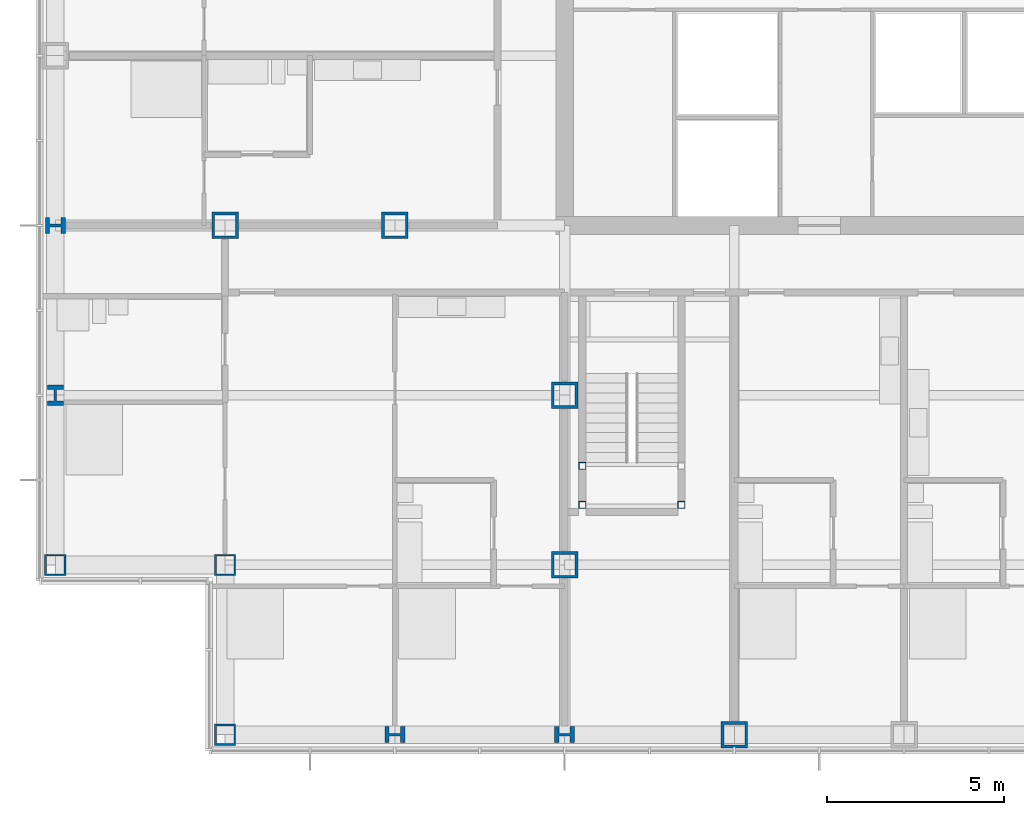
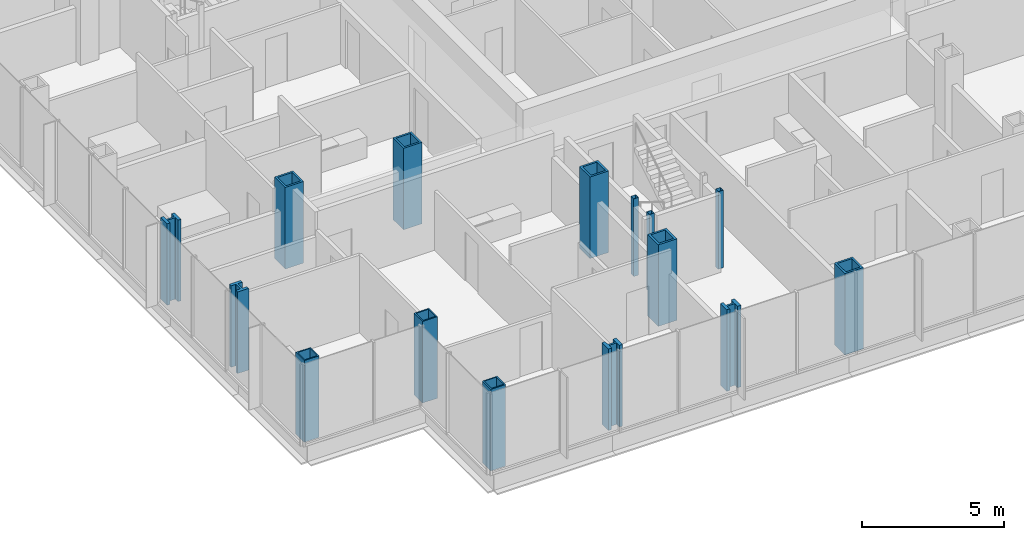
# One storey, part 1 of 21: 15 columns.
"""IFC4 building model written with IfcOpenShell, lengths in metres."""

from ifc_helpers import new_model, si_unit, direction, frame, origin, origin_2d, place, context, subcontext, project, spatial, hollow_rectangle, i_section, extrude, material, material_profile, profile_set, type_object, element, save


model = new_model("IFC4")

# Units and contexts
model_context = context("Model", 3, precision=1e-05, world=origin(), true_north=direction((0.0, 1.0)))
body_context = subcontext(model_context, "Body", "Model", "MODEL_VIEW")
ifc_project = project(units=[si_unit("LENGTHUNIT", "METRE"), si_unit("AREAUNIT", "SQUARE_METRE"), si_unit("VOLUMEUNIT", "CUBIC_METRE"), si_unit("PLANEANGLEUNIT", "RADIAN"), si_unit("MASSUNIT", "GRAM", prefix="KILO")], contexts=[model_context])

# Site, building, storey
site_placement = place(None, origin())
site = spatial("IfcSite", under=ifc_project, at=site_placement, CompositionType="ELEMENT")
building_placement = place(site_placement, origin())
building = spatial("IfcBuilding", under=site, at=building_placement, Name="Kvirike Care Tower", CompositionType="ELEMENT")
storey_placement = place(building_placement, frame((0.0, 0.0, 48.0)))
storey = spatial("IfcBuildingStorey", under=building, at=storey_placement, Name="L12", CompositionType="ELEMENT", Elevation=48.0)

# Columns
ifc_material_1 = material(Name="Steel S460", Category="steel")
ifc_material_profile_1 = material_profile(ifc_material_1, hollow_rectangle(XDim=0.60009765625, YDim=0.60009765625, WallThickness=0.050048828125, at=origin_2d()), Name="BX 600x600x50")
ifc_profile_set_1 = profile_set([ifc_material_profile_1], Name="Steel S460")
column_type_1 = type_object("IfcColumnType", Name="COLUMN BX 600x600x50", PredefinedType="COLUMN", material=ifc_profile_set_1)
for number, where, z_axis, x_axis, name in (
    (1, (0.0, 19.199951171875, 0.0), (0.0, 0.0, 1.0), (0.0, 1.0, 0.0), "Column E3 L12"),
    (2, (4.800048828125, 14.39990234375, 0.0), (0.0, 0.0, 1.0), (0.0, 1.0, 0.0), "Column D4 L12"),
    (3, (4.800048828125, 19.199951171875, 0.0), (0.0, 0.0, 1.0), (0.0, 1.0, 0.0), "Column E4 L12"),
):
    element("IfcColumn", number, at=place(storey_placement, frame(where, z_axis=z_axis, x_axis=x_axis)), inside=storey, type_object=column_type_1, Name=name, PredefinedType="COLUMN", context=body_context, shape_type="SweptSolid", body=[
        extrude(hollow_rectangle(XDim=0.60009765625, YDim=0.60009765625, WallThickness=0.050048828125, at=origin_2d()), origin(), (0.0, 0.0, 1.0), 3.5),
    ])
ifc_material_2 = material(Name="Steel S460", Category="steel")
ifc_material_profile_2 = material_profile(ifc_material_2, hollow_rectangle(XDim=0.75, YDim=0.75, WallThickness=0.080078125, at=origin_2d()), Name="BX 750x750x80")
ifc_profile_set_2 = profile_set([ifc_material_profile_2], Name="Steel S460")
column_type_2 = type_object("IfcColumnType", Name="COLUMN BX 750x750x80", PredefinedType="COLUMN", material=ifc_profile_set_2)
for number, where, z_axis, x_axis, name in (
    (4, (4.800048828125, 28.800048828125, 0.0), (0.0, 0.0, 1.0), (0.0, 1.0, 0.0), "Column G4 L12"),
    (5, (9.60009765625, 28.800048828125, 0.0), (0.0, 0.0, 1.0), (0.0, 1.0, 0.0), "Column G5 L12"),
    (6, (14.39990234375, 19.199951171875, 0.0), (0.0, 0.0, 1.0), (1.0, 0.0, 0.0), "Column E6 L12"),
    (7, (14.39990234375, 24.0, 0.0), (0.0, 0.0, 1.0), (1.0, 0.0, 0.0), "Column F6 L12"),
    (8, (19.199951171875, 14.39990234375, 0.0), (0.0, 0.0, 1.0), (0.0, 1.0, 0.0), "Column D7 L12"),
):
    element("IfcColumn", number, at=place(storey_placement, frame(where, z_axis=z_axis, x_axis=x_axis)), inside=storey, type_object=column_type_2, Name=name, PredefinedType="COLUMN", context=body_context, shape_type="SweptSolid", body=[
        extrude(hollow_rectangle(XDim=0.75, YDim=0.75, WallThickness=0.080078125, at=origin_2d()), origin(), (0.0, 0.0, 1.0), 3.5),
    ])
ifc_material_3 = material(Name="Steel S460", Category="steel")
ifc_material_profile_3 = material_profile(ifc_material_3, i_section(OverallWidth=0.4541015625, OverallDepth=0.569091796875, WebThickness=0.077880859375, FlangeThickness=0.125, FilletRadius=0.014892578125, at=origin_2d()), Name="HD 400x1086")
ifc_profile_set_3 = profile_set([ifc_material_profile_3], Name="Steel S460")
column_type_3 = type_object("IfcColumnType", Name="COLUMN HD 400x1086", PredefinedType="COLUMN", material=ifc_profile_set_3)
for number, where, z_axis, x_axis, name in (
    (9, (0.0, 24.0, 0.0), (0.0, 0.0, 1.0), (1.0, 0.0, 0.0), "Column F3 L12"),
    (10, (0.0, 28.800048828125, 0.0), (0.0, 0.0, 1.0), (0.0, 1.0, 0.0), "Column G3 L12"),
    (11, (9.60009765625, 14.39990234375, 0.0), (0.0, 0.0, 1.0), (0.0, 1.0, 0.0), "Column D5 L12"),
    (12, (14.39990234375, 14.39990234375, 0.0), (0.0, 0.0, 1.0), (0.0, 1.0, 0.0), "Column D6 L12"),
):
    element("IfcColumn", number, at=place(storey_placement, frame(where, z_axis=z_axis, x_axis=x_axis)), inside=storey, type_object=column_type_3, Name=name, PredefinedType="COLUMN", context=body_context, shape_type="SweptSolid", body=[
        extrude(i_section(OverallWidth=0.4541015625, OverallDepth=0.569091796875, WebThickness=0.077880859375, FlangeThickness=0.125, FilletRadius=0.014892578125, at=origin_2d()), origin(), (0.0, 0.0, 1.0), 3.5),
    ])
ifc_material_4 = material(Name="Steel S460", Category="steel")
ifc_material_profile_4 = material_profile(ifc_material_4, hollow_rectangle(XDim=0.199951171875, YDim=0.199951171875, WallThickness=0.008056640625, at=origin_2d()), Name="SHS 200x200x8")
ifc_profile_set_4 = profile_set([ifc_material_profile_4], Name="Steel S460")
column_type_4 = type_object("IfcColumnType", Name="STAIR POST SHS 200x200x8", PredefinedType="COLUMN", material=ifc_profile_set_4)
for number, where, z_axis, x_axis, name in (
    (13, (14.89990234375, 20.89990234375, 0.0), (0.0, 0.0, 1.0), (1.0, 0.0, 0.0), "Stair 5 post 1 L12"),
    (14, (17.699951171875, 20.89990234375, 0.0), (0.0, 0.0, 1.0), (1.0, 0.0, 0.0), "Stair 5 post 2 L12"),
    (15, (14.89990234375, 22.0, 0.0), (0.0, 0.0, 1.0), (1.0, 0.0, 0.0), "Stair 5 post 3 L12"),
):
    element("IfcColumn", number, at=place(storey_placement, frame(where, z_axis=z_axis, x_axis=x_axis)), inside=storey, type_object=column_type_4, Name=name, PredefinedType="COLUMN", context=body_context, shape_type="SweptSolid", body=[
        extrude(hollow_rectangle(XDim=0.199951171875, YDim=0.199951171875, WallThickness=0.008056640625, at=origin_2d()), origin(), (0.0, 0.0, 1.0), 3.330078125),
    ])

save(model, "model.ifc")
